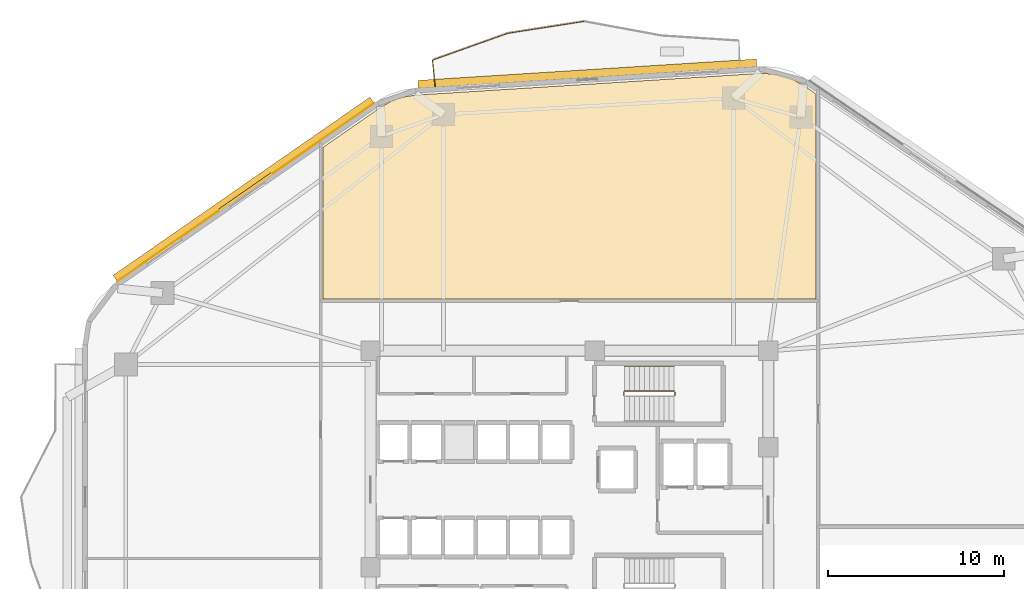
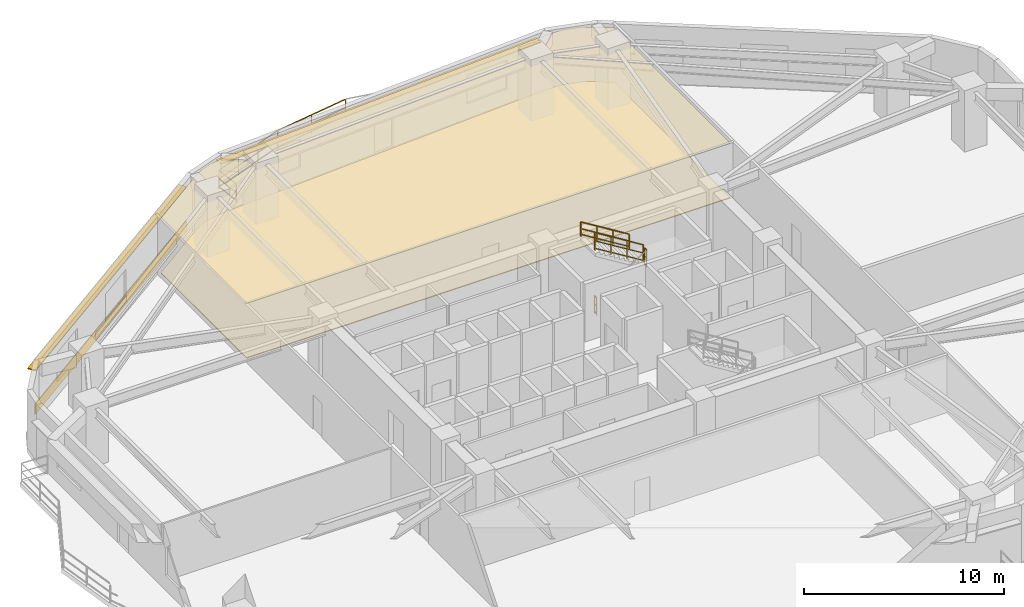
# One storey, part 9 of 11: 7 railings, 3 coverings, 3 shading devices.
"""IFC4 building model written with IfcOpenShell, lengths in metres."""

import ifcopenshell
import ifcopenshell.guid

model = None  # the IFC model being written
_history = None  # IfcOwnerHistory: only IFC2X3 demands one
_inside = {}  # id of a spatial element -> (the spatial element, [elements in it])
_under = {}  # id of a project, library or spatial element -> (it, [spatial elements below it])
_declared = {}  # id of a project -> (the project, [libraries it declares])
_typed = {}  # id of a type object -> (the type object, [elements of that type])
_made_of = {}  # id of a material, layer set ... -> (it, [elements and type objects made of it])


def new_model(schema):
    """Start an empty IFC model of exactly this schema.

    Asked for "IFC4X3", IfcOpenShell would pick the latest addendum, in which some entities
    have other attributes; the version numbers below select the first issue.
    IFC2X3 requires an IfcOwnerHistory on every rooted entity: one is made here for all.
    """
    global model, _history
    if schema == "IFC4X3":
        model = ifcopenshell.file(schema_version=(4, 3, 0, 0))
    else:
        model = ifcopenshell.file(schema=schema)
    _inside.clear()
    _under.clear()
    _declared.clear()
    _typed.clear()
    _made_of.clear()
    _history = None
    if model.schema == "IFC2X3":
        org = make("IfcOrganization", Name="unknown")
        user = make(
            "IfcPersonAndOrganization",
            ThePerson=make("IfcPerson", FamilyName="unknown"),
            TheOrganization=org,
        )
        app = make(
            "IfcApplication",
            ApplicationDeveloper=org,
            Version="unknown",
            ApplicationFullName="unknown",
            ApplicationIdentifier="unknown",
        )
        _history = make(
            "IfcOwnerHistory",
            OwningUser=user,
            OwningApplication=app,
            ChangeAction="ADDED",
            CreationDate=0,
        )
    return model


def make(cls, **values):
    """One entity of the class cls with the attributes given. An attribute that is None is left unset."""
    return model.create_entity(
        cls, **{name: value for name, value in values.items() if value is not None}
    )


def rooted(cls, **values):
    """An entity with a GlobalId (a new one), such as an element, a storey or a relation."""
    return make(cls, GlobalId=ifcopenshell.guid.new(), OwnerHistory=_history, **values)


def si_unit(unit_type, name, prefix=None):
    """IfcSIUnit, for example si_unit("LENGTHUNIT", "METRE", prefix="MILLI")."""
    return make("IfcSIUnit", UnitType=unit_type, Prefix=prefix, Name=name)


def assignment(units):
    """IfcUnitAssignment: the units of a project."""
    return None if units is None else make("IfcUnitAssignment", Units=units)


def point(xyz):
    """IfcCartesianPoint."""
    return None if xyz is None else make("IfcCartesianPoint", Coordinates=xyz)


def direction(xyz):
    """IfcDirection."""
    return None if xyz is None else make("IfcDirection", DirectionRatios=xyz)


def frame(location, z_axis=None, x_axis=None):
    """IfcAxis2Placement3D, a coordinate frame: its origin and axes. An axis left out is left unset."""
    return make(
        "IfcAxis2Placement3D",
        Location=point(location),
        Axis=direction(z_axis),
        RefDirection=direction(x_axis),
    )


def frame_2d(location, x_axis=None):
    """IfcAxis2Placement2D, a coordinate frame in the plane: its origin and x axis."""
    return make(
        "IfcAxis2Placement2D", Location=point(location), RefDirection=direction(x_axis)
    )


def origin():
    """The frame at (0, 0, 0) with its axes left unset."""
    return frame((0.0, 0.0, 0.0))


def origin_2d():
    """The frame at (0, 0) in the plane with its x axis left unset."""
    return frame_2d((0.0, 0.0))


def place(relative_to, where):
    """IfcLocalPlacement: puts the frame where relative to a parent placement (None: the world)."""
    return make(
        "IfcLocalPlacement", PlacementRelTo=relative_to, RelativePlacement=where
    )


def context(
    kind, dimensions, precision=None, world=None, true_north=None, identifier=None
):
    """IfcGeometricRepresentationContext, for example the 3D "Model" context."""
    return make(
        "IfcGeometricRepresentationContext",
        ContextIdentifier=identifier,
        ContextType=kind,
        CoordinateSpaceDimension=dimensions,
        Precision=precision,
        WorldCoordinateSystem=world,
        TrueNorth=true_north,
    )


def subcontext(parent, identifier, kind, view, scale=None):
    """IfcGeometricRepresentationSubContext, for example "Body" below "Model"."""
    return make(
        "IfcGeometricRepresentationSubContext",
        ContextIdentifier=identifier,
        ContextType=kind,
        ParentContext=parent,
        TargetScale=scale,
        TargetView=view,
    )


def project(units=None, contexts=None):
    """IfcProject with its units and contexts."""
    return rooted(
        "IfcProject",
        Name="project",
        RepresentationContexts=contexts,
        UnitsInContext=assignment(units),
    )


def spatial(cls, under=None, at=None, **own):
    """A site, building, storey or space (cls), placed at a placement, below another one or the project."""
    s = rooted(cls, ObjectPlacement=at, **own)
    if under is not None:
        _under.setdefault(under.id(), (under, []))[1].append(s)
    return s


def polyline(points):
    """IfcPolyline through the points."""
    return make("IfcPolyline", Points=[point(p) for p in points])


def profile(cls, at=None, kind="AREA", **sizes):
    """A parametric profile (cls). Its sizes go by their IFC names, for example OverallWidth=200.0."""
    return make(cls, ProfileType=kind, Position=at, **sizes)


def rectangle(**sizes):
    """IfcRectangleProfileDef."""
    return profile("IfcRectangleProfileDef", **sizes)


def outline(outer, holes=None, kind="AREA"):
    """IfcArbitraryClosedProfileDef: a profile drawn as a closed curve; with holes, ...WithVoids."""
    if holes is None:
        return make("IfcArbitraryClosedProfileDef", ProfileType=kind, OuterCurve=outer)
    return make(
        "IfcArbitraryProfileDefWithVoids",
        ProfileType=kind,
        OuterCurve=outer,
        InnerCurves=holes,
    )


def extrude(swept, where, along, depth):
    """IfcExtrudedAreaSolid: the profile swept, set in the frame where, extruded along a direction by depth."""
    return make(
        "IfcExtrudedAreaSolid",
        SweptArea=swept,
        Position=where,
        ExtrudedDirection=direction(along),
        Depth=depth,
    )


def shape(context_of_items, identifier, shape_type, items):
    """IfcShapeRepresentation: the items that make up one representation, for example the "Body"."""
    return make(
        "IfcShapeRepresentation",
        ContextOfItems=context_of_items,
        RepresentationIdentifier=identifier,
        RepresentationType=shape_type,
        Items=items,
    )


def material(Name=None, Category=None):
    """IfcMaterial."""
    return make("IfcMaterial", Name=Name, Category=Category)


def layer(
    of_material, thickness, ventilated=None, Name=None, Category=None, Priority=None
):
    """IfcMaterialLayer: one layer of a wall or slab, of a material (None: an air gap)."""
    return make(
        "IfcMaterialLayer",
        Material=of_material,
        LayerThickness=thickness,
        IsVentilated=ventilated,
        Name=Name,
        Category=Category,
        Priority=Priority,
    )


def layer_set(layers, Name=None):
    """IfcMaterialLayerSet."""
    return make("IfcMaterialLayerSet", MaterialLayers=layers, LayerSetName=Name)


def made_of(thing, what):
    """Note that an element or type object is made of a material, layer set ...; save() writes the relation."""
    if what is not None:
        _made_of.setdefault(what.id(), (what, []))[1].append(thing)
    return thing


def type_object(cls, material=None, **own):
    """A type object (cls), such as IfcWallType, which elements share."""
    return made_of(rooted(cls, **own), material)


def element(
    cls,
    number,
    at=None,
    inside=None,
    cuts=None,
    type_object=None,
    material=None,
    context=None,
    identifier="Body",
    shape_type=None,
    held_by="IfcProductDefinitionShape",
    body=None,
    shapes=None,
    **own,
):
    """One element of the class cls, such as IfcWall. Its Tag is "e" and its number.

    at: its placement. inside: the storey or other place that contains it. cuts: it is an
    opening in that element (IfcRelVoidsElement). A single representation is given by context,
    identifier, shape_type and body (its items); several are given by shapes. held_by: the class
    of the entity that holds the representations. save() writes the other relations.
    """
    e = rooted(cls, Tag="e%d" % number, ObjectPlacement=at, **own)
    if body is not None:
        shapes = [shape(context, identifier, shape_type, body)]
    if shapes is not None:
        e.Representation = make(held_by, Representations=shapes)
    if inside is not None:
        _inside.setdefault(inside.id(), (inside, []))[1].append(e)
    if cuts is not None:
        rooted(
            "IfcRelVoidsElement", RelatingBuildingElement=cuts, RelatedOpeningElement=e
        )
    if type_object is not None:
        _typed.setdefault(type_object.id(), (type_object, []))[1].append(e)
    return made_of(e, material)


def aggregate(whole, parts):
    """IfcRelAggregates: a whole, such as a stair, and the parts it consists of."""
    return rooted("IfcRelAggregates", RelatingObject=whole, RelatedObjects=parts)


def save(model, path):
    """Write the relations noted so far, then the file.

    IfcRelAggregates (storeys below a building ...), IfcRelContainedInSpatialStructure (elements
    in a storey), IfcRelDefinesByType, IfcRelAssociatesMaterial and IfcRelDeclares: one each for
    every whole, place, type object, material and project.
    """
    for whole, parts in _under.values():
        aggregate(whole, parts)
    for where, things in _inside.values():
        rooted(
            "IfcRelContainedInSpatialStructure",
            RelatedElements=things,
            RelatingStructure=where,
        )
    for kind, things in _typed.values():
        rooted("IfcRelDefinesByType", RelatedObjects=things, RelatingType=kind)
    for what, things in _made_of.values():
        rooted("IfcRelAssociatesMaterial", RelatedObjects=things, RelatingMaterial=what)
    for by, libraries in _declared.values():
        rooted("IfcRelDeclares", RelatingContext=by, RelatedDefinitions=libraries)
    model.write(path)


model = new_model("IFC4")

# Units and contexts
model_context = context("Model", 3, precision=1e-05, world=origin(), true_north=direction((0.0, 1.0)))
body_context = subcontext(model_context, "Body", "Model", "MODEL_VIEW")
ifc_project = project(units=[si_unit("LENGTHUNIT", "METRE"), si_unit("AREAUNIT", "SQUARE_METRE"), si_unit("VOLUMEUNIT", "CUBIC_METRE"), si_unit("PLANEANGLEUNIT", "RADIAN"), si_unit("MASSUNIT", "GRAM", prefix="KILO")], contexts=[model_context])

# Site, building, storey
site_placement = place(None, origin())
site = spatial("IfcSite", under=ifc_project, at=site_placement, CompositionType="ELEMENT")
building_placement = place(site_placement, origin())
building = spatial("IfcBuilding", under=site, at=building_placement, Name="Zulverin Broadcast Headquarters", CompositionType="ELEMENT")
storey_placement = place(building_placement, frame((0.0, 0.0, 28.800048828125)))
storey = spatial("IfcBuildingStorey", under=building, at=storey_placement, Name="L06", CompositionType="ELEMENT", Elevation=28.800048828125)

# Coverings
ifc_material_1 = material(Name="Perforated pale-metal acoustic baffle ceiling", Category="aluminium")
ifc_layer_1 = layer(ifc_material_1, 0.0400390625, Name="Perforated pale-metal acoustic baffle ceiling", Category="aluminium")
ifc_layer_set_1 = layer_set([ifc_layer_1], Name="Perforated pale-metal acoustic baffle ceiling")
covering_type_1 = type_object("IfcCoveringType", Name="COV-CEIL-ACOU", PredefinedType="CEILING", material=ifc_layer_set_1)
covering_1_placement = place(storey_placement, frame((0.0, 0.0, 3.344970703125)))
element("IfcCovering", 1, at=covering_1_placement, inside=storey, type_object=covering_type_1, Name="L06 Acoustic Baffle Ceiling 01", PredefinedType="CEILING", context=body_context, shape_type="SweptSolid", body=[
    extrude(outline(polyline([(48.68408203125, 48.76806640625), (47.823974609375, 48.80810546875), (28.27587890625, 47.575927734375), (27.575927734375, 47.468017578125), (26.927978515625, 47.243896484375), (26.31591796875, 46.89599609375), (23.02001953125, 44.60400390625), (23.02001953125, 36.02001953125), (50.97998046875, 36.02001953125), (50.97998046875, 47.64404296875), (50.248046875, 48.139892578125), (49.491943359375, 48.548095703125), (48.68408203125, 48.76806640625)])), origin(), (0.0, 0.0, 1.0), 0.0400390625),
])
ifc_material_2 = material(Name="Brushed pale-aluminium rainscreen cladding", Category="aluminium")
ifc_layer_2 = layer(ifc_material_2, 0.0400390625, Name="Brushed pale-aluminium rainscreen cladding", Category="aluminium")
ifc_layer_set_2 = layer_set([ifc_layer_2], Name="Brushed pale-aluminium rainscreen cladding")
covering_type_2 = type_object("IfcCoveringType", Name="COV-CLAD-PALE", PredefinedType="CLADDING", material=ifc_layer_set_2)
covering_2_placement = place(storey_placement, frame((18.648193359375, 42.072021484375, 0.054931640625), z_axis=(0.0, 0.0, 1.0), x_axis=(-0.821556397865, -0.57012725345, 0.0)))
element("IfcCovering", 2, at=covering_2_placement, inside=storey, type_object=covering_type_2, Name="L06 Brushed Pale-Aluminium Spandrel Cladding 6", PredefinedType="CLADDING", context=body_context, shape_type="SweptSolid", body=[
    extrude(rectangle(XDim=17.732421875, YDim=0.0400390625, at=origin_2d()), origin(), (0.0, 0.0, 1.0), 0.64990234375),
])
ifc_material_3 = material(Name="Anti-static broadcast raised access flooring", Category="stone")
ifc_layer_3 = layer(ifc_material_3, 0.050048828125, Name="Anti-static broadcast raised access flooring", Category="stone")
ifc_layer_set_3 = layer_set([ifc_layer_3], Name="Anti-static broadcast raised access flooring")
covering_type_3 = type_object("IfcCoveringType", Name="COV-FLR-RAISED", PredefinedType="FLOORING", material=ifc_layer_set_3)
covering_3_placement = place(storey_placement, origin())
element("IfcCovering", 3, at=covering_3_placement, inside=storey, type_object=covering_type_3, Name="L06 Broadcast Raised Access Flooring 01", PredefinedType="FLOORING", context=body_context, shape_type="SweptSolid", body=[
    extrude(outline(polyline([(48.68408203125, 48.76806640625), (47.823974609375, 48.80810546875), (28.27587890625, 47.575927734375), (27.575927734375, 47.468017578125), (26.927978515625, 47.243896484375), (26.31591796875, 46.89599609375), (23.02001953125, 44.60400390625), (23.02001953125, 36.02001953125), (50.97998046875, 36.02001953125), (50.97998046875, 47.64404296875), (50.248046875, 48.139892578125), (49.491943359375, 48.548095703125), (48.68408203125, 48.76806640625)])), origin(), (0.0, 0.0, 1.0), 0.050048828125),
])

# Railings
ifc_material_4 = material(Name="Brushed stainless steel & laminated glass balustrade", Category="steel")
railing_type_1 = type_object("IfcRailingType", Name="RL-GUARD-1150", PredefinedType="GUARDRAIL", material=ifc_material_4)
railing_1_placement = place(storey_placement, frame((37.8134765625, 51.7529296875, 0.0)))
element("IfcRailing", 4, at=railing_1_placement, inside=storey, type_object=railing_type_1, Name="L06 Vertical-Forest Balcony Guardrail BAL_N Segment 04", PredefinedType="GUARDRAIL", context=body_context, shape_type="SweptSolid", body=[
    extrude(rectangle(XDim=0.048095703125, YDim=0.048095703125, at=origin_2d()), frame((0.0, 0.0, 1.1259765625), z_axis=(-0.988057241682, -0.154087271245, 0.0), x_axis=(0.154087271245, -0.988057241682, 0.0)), (0.0, 0.0, 1.0), 4.34619140625),
    extrude(rectangle(XDim=0.0419921875, YDim=0.0419921875, at=origin_2d()), frame((0.0, 0.0, 0.597900390625), z_axis=(-0.988057241682, -0.154087271245, 0.0), x_axis=(0.154087271245, -0.988057241682, 0.0)), (0.0, 0.0, 1.0), 4.34619140625),
    extrude(rectangle(XDim=0.0419921875, YDim=0.0419921875, at=origin_2d()), frame((0.0, 0.0, 0.1201171875), z_axis=(-0.988057241682, -0.154087271245, 0.0), x_axis=(0.154087271245, -0.988057241682, 0.0)), (0.0, 0.0, 1.0), 4.34619140625),
    extrude(rectangle(XDim=0.0419921875, YDim=0.0419921875, at=origin_2d()), origin(), (0.0, 0.0, 1.0), 1.101806640625),
    extrude(rectangle(XDim=0.0419921875, YDim=0.0419921875, at=origin_2d()), frame((-2.14697265625, -0.3349609375, 0.0)), (0.0, 0.0, 1.0), 1.101806640625),
    extrude(rectangle(XDim=0.0419921875, YDim=0.0419921875, at=origin_2d()), frame((-4.294189453125, -0.669677734375, 0.0)), (0.0, 0.0, 1.0), 1.101806640625),
])
railing_2_placement = place(storey_placement, frame((33.490478515625, 51.075927734375, 0.0)))
element("IfcRailing", 5, at=railing_2_placement, inside=storey, type_object=railing_type_1, Name="L06 Vertical-Forest Balcony Guardrail BAL_N Segment 05", PredefinedType="GUARDRAIL", context=body_context, shape_type="SweptSolid", body=[
    extrude(rectangle(XDim=0.048095703125, YDim=0.048095703125, at=origin_2d()), frame((0.0, 0.0, 1.1259765625), z_axis=(-0.942022481817, -0.335549763451, 0.0), x_axis=(0.335549763451, -0.942022481817, 0.0)), (0.0, 0.0, 1.0), 4.5029296875),
    extrude(rectangle(XDim=0.0419921875, YDim=0.0419921875, at=origin_2d()), frame((0.0, 0.0, 0.597900390625), z_axis=(-0.942022481817, -0.335549763451, 0.0), x_axis=(0.335549763451, -0.942022481817, 0.0)), (0.0, 0.0, 1.0), 4.5029296875),
    extrude(rectangle(XDim=0.0419921875, YDim=0.0419921875, at=origin_2d()), frame((0.0, 0.0, 0.1201171875), z_axis=(-0.942022481817, -0.335549763451, 0.0), x_axis=(0.335549763451, -0.942022481817, 0.0)), (0.0, 0.0, 1.0), 4.5029296875),
    extrude(rectangle(XDim=0.0419921875, YDim=0.0419921875, at=origin_2d()), origin(), (0.0, 0.0, 1.0), 1.101806640625),
    extrude(rectangle(XDim=0.0419921875, YDim=0.0419921875, at=origin_2d()), frame((-1.4140625, -0.503662109375, 0.0)), (0.0, 0.0, 1.0), 1.101806640625),
    extrude(rectangle(XDim=0.0419921875, YDim=0.0419921875, at=origin_2d()), frame((-2.827880859375, -1.00732421875, 0.0)), (0.0, 0.0, 1.0), 1.101806640625),
    extrude(rectangle(XDim=0.0419921875, YDim=0.0419921875, at=origin_2d()), frame((-4.241943359375, -1.510986328125, 0.0)), (0.0, 0.0, 1.0), 1.101806640625),
])
railing_3_placement = place(storey_placement, frame((29.236083984375, 49.545166015625, 0.0)))
element("IfcRailing", 6, at=railing_3_placement, inside=storey, type_object=railing_type_1, Name="L06 Vertical-Forest Balcony Guardrail BAL_N Segment 06", PredefinedType="GUARDRAIL", context=body_context, shape_type="SweptSolid", body=[
    extrude(rectangle(XDim=0.048095703125, YDim=0.048095703125, at=origin_2d()), frame((0.0, 0.0, 1.1259765625), z_axis=(0.103393334431, -0.994640547331, 0.0), x_axis=(0.994640547331, 0.103393334431, 0.0)), (0.0, 0.0, 1.0), 1.46630859375),
    extrude(rectangle(XDim=0.0419921875, YDim=0.0419921875, at=origin_2d()), frame((0.0, 0.0, 0.597900390625), z_axis=(0.103393334431, -0.994640547331, 0.0), x_axis=(0.994640547331, 0.103393334431, 0.0)), (0.0, 0.0, 1.0), 1.46630859375),
    extrude(rectangle(XDim=0.0419921875, YDim=0.0419921875, at=origin_2d()), frame((0.0, 0.0, 0.1201171875), z_axis=(0.103393334431, -0.994640547331, 0.0), x_axis=(0.994640547331, 0.103393334431, 0.0)), (0.0, 0.0, 1.0), 1.46630859375),
    extrude(rectangle(XDim=0.0419921875, YDim=0.0419921875, at=origin_2d()), origin(), (0.0, 0.0, 1.0), 1.101806640625),
    extrude(rectangle(XDim=0.0419921875, YDim=0.0419921875, at=origin_2d()), frame((0.151611328125, -1.45849609375, 0.0)), (0.0, 0.0, 1.0), 1.101806640625),
])
ifc_material_5 = material(Name="Painted galvanized steel tubular guardrail S355JR", Category="steel")
railing_type_2 = type_object("IfcRailingType", Name="RL-ST-GUARD", PredefinedType="GUARDRAIL", material=ifc_material_5)
railing_4_placement = place(storey_placement, frame((42.97998046875, 30.550048828125, 1.89990234375)))
element("IfcRailing", 7, at=railing_4_placement, inside=storey, type_object=railing_type_2, Name="L06 ST-1 stair guard 2", PredefinedType="GUARDRAIL", context=body_context, shape_type="SweptSolid", body=[
    extrude(rectangle(XDim=0.048095703125, YDim=0.048095703125, at=origin_2d()), frame((0.0, 0.0, 1.076171875), z_axis=(0.0, 1.0, 0.0), x_axis=(-1.0, 0.0, 0.0)), (0.0, 0.0, 1.0), 0.199951171875),
    extrude(rectangle(XDim=0.0419921875, YDim=0.0419921875, at=origin_2d()), frame((0.0, 0.0, 0.572021484375), z_axis=(0.0, 1.0, 0.0), x_axis=(-1.0, 0.0, 0.0)), (0.0, 0.0, 1.0), 0.199951171875),
    extrude(rectangle(XDim=0.0419921875, YDim=0.0419921875, at=origin_2d()), frame((0.0, 0.0, 0.1201171875), z_axis=(0.0, 1.0, 0.0), x_axis=(-1.0, 0.0, 0.0)), (0.0, 0.0, 1.0), 0.199951171875),
    extrude(rectangle(XDim=0.0419921875, YDim=0.0419921875, at=origin_2d()), origin(), (0.0, 0.0, 1.0), 1.052001953125),
    extrude(rectangle(XDim=0.0419921875, YDim=0.0419921875, at=origin_2d()), frame((0.0, 0.199951171875, 0.0)), (0.0, 0.0, 1.0), 1.052001953125),
])
railing_5_placement = place(storey_placement, frame((42.929931640625, 30.800048828125, 2.07275390625)))
element("IfcRailing", 8, at=railing_5_placement, inside=storey, type_object=railing_type_2, Name="L06 ST-1 stair guard 3", PredefinedType="GUARDRAIL", context=body_context, shape_type="SweptSolid", body=[
    extrude(rectangle(XDim=0.048095703125, YDim=0.048095703125, at=origin_2d()), frame((0.0, 0.0, 1.076171875), z_axis=(-0.851089632645, 0.0, 0.525020415988), x_axis=(0.0, -1.0, 0.0)), (0.0, 0.0, 1.0), 3.2900390625),
    extrude(rectangle(XDim=0.0419921875, YDim=0.0419921875, at=origin_2d()), frame((0.0, 0.0, 0.572021484375), z_axis=(-0.851089632645, 0.0, 0.525020415988), x_axis=(0.0, -1.0, 0.0)), (0.0, 0.0, 1.0), 3.2900390625),
    extrude(rectangle(XDim=0.0419921875, YDim=0.0419921875, at=origin_2d()), frame((0.0, 0.0, 0.1201171875), z_axis=(-0.851089632645, 0.0, 0.525020415988), x_axis=(0.0, -1.0, 0.0)), (0.0, 0.0, 1.0), 3.2900390625),
    extrude(rectangle(XDim=0.0419921875, YDim=0.0419921875, at=origin_2d()), origin(), (0.0, 0.0, 1.0), 1.052001953125),
    extrude(rectangle(XDim=0.0419921875, YDim=0.0419921875, at=origin_2d()), frame((-0.933349609375, 0.0, 0.57568359375)), (0.0, 0.0, 1.0), 1.052001953125),
    extrude(rectangle(XDim=0.0419921875, YDim=0.0419921875, at=origin_2d()), frame((-1.86669921875, 0.0, 1.151611328125)), (0.0, 0.0, 1.0), 1.052001953125),
    extrude(rectangle(XDim=0.0419921875, YDim=0.0419921875, at=origin_2d()), frame((-2.800048828125, 0.0, 1.727294921875)), (0.0, 0.0, 1.0), 1.052001953125),
])
railing_6_placement = place(storey_placement, frame((40.080078125, 30.550048828125, 0.0)))
element("IfcRailing", 9, at=railing_6_placement, inside=storey, type_object=railing_type_2, Name="L06 ST-1 stair guard 4", PredefinedType="GUARDRAIL", context=body_context, shape_type="SweptSolid", body=[
    extrude(rectangle(XDim=0.048095703125, YDim=0.048095703125, at=origin_2d()), frame((0.0, 0.0, 1.076171875), z_axis=(0.0, 1.0, 0.0), x_axis=(-1.0, 0.0, 0.0)), (0.0, 0.0, 1.0), 0.199951171875),
    extrude(rectangle(XDim=0.0419921875, YDim=0.0419921875, at=origin_2d()), frame((0.0, 0.0, 0.572021484375), z_axis=(0.0, 1.0, 0.0), x_axis=(-1.0, 0.0, 0.0)), (0.0, 0.0, 1.0), 0.199951171875),
    extrude(rectangle(XDim=0.0419921875, YDim=0.0419921875, at=origin_2d()), frame((0.0, 0.0, 0.1201171875), z_axis=(0.0, 1.0, 0.0), x_axis=(-1.0, 0.0, 0.0)), (0.0, 0.0, 1.0), 0.199951171875),
    extrude(rectangle(XDim=0.0419921875, YDim=0.0419921875, at=origin_2d()), origin(), (0.0, 0.0, 1.0), 1.052001953125),
    extrude(rectangle(XDim=0.0419921875, YDim=0.0419921875, at=origin_2d()), frame((0.0, 0.199951171875, 0.0)), (0.0, 0.0, 1.0), 1.052001953125),
])
ifc_material_6 = material(Name="Brushed stainless steel 48 mm handrail", Category="steel")
railing_type_3 = type_object("IfcRailingType", Name="RL-ST-HAND", PredefinedType="HANDRAIL", material=ifc_material_6)
railing_7_placement = place(storey_placement, frame((42.929931640625, 32.199951171875, 2.07275390625)))
element("IfcRailing", 10, at=railing_7_placement, inside=storey, type_object=railing_type_3, Name="L06 ST-1 stair handrail 2", PredefinedType="HANDRAIL", context=body_context, shape_type="SweptSolid", body=[
    extrude(rectangle(XDim=0.048095703125, YDim=0.048095703125, at=origin_2d()), frame((0.0, 0.0, 0.8759765625), z_axis=(-0.851089632645, 0.0, 0.525020415988), x_axis=(0.0, -1.0, 0.0)), (0.0, 0.0, 1.0), 3.2900390625),
    extrude(rectangle(XDim=0.0419921875, YDim=0.0419921875, at=origin_2d()), frame((0.0, 0.0, 0.468017578125), z_axis=(-0.851089632645, 0.0, 0.525020415988), x_axis=(0.0, -1.0, 0.0)), (0.0, 0.0, 1.0), 3.2900390625),
    extrude(rectangle(XDim=0.0419921875, YDim=0.0419921875, at=origin_2d()), frame((0.0, 0.0, 0.1201171875), z_axis=(-0.851089632645, 0.0, 0.525020415988), x_axis=(0.0, -1.0, 0.0)), (0.0, 0.0, 1.0), 3.2900390625),
    extrude(rectangle(XDim=0.0419921875, YDim=0.0419921875, at=origin_2d()), origin(), (0.0, 0.0, 1.0), 0.851806640625),
    extrude(rectangle(XDim=0.0419921875, YDim=0.0419921875, at=origin_2d()), frame((-0.933349609375, 0.0, 0.57568359375)), (0.0, 0.0, 1.0), 0.851806640625),
    extrude(rectangle(XDim=0.0419921875, YDim=0.0419921875, at=origin_2d()), frame((-1.86669921875, 0.0, 1.151611328125)), (0.0, 0.0, 1.0), 0.851806640625),
    extrude(rectangle(XDim=0.0419921875, YDim=0.0419921875, at=origin_2d()), frame((-2.800048828125, 0.0, 1.727294921875)), (0.0, 0.0, 1.0), 0.851806640625),
])

# Shading devices
ifc_material_7 = material(Name="Anodized pale-metal aluminium acoustic louvre", Category="aluminium")
shading_device_type_1 = type_object("IfcShadingDeviceType", Name="SHD-LOUVRE-350", PredefinedType="USERDEFINED", material=ifc_material_7)
shading_device_1_placement = place(storey_placement, frame((18.631103515625, 42.0966796875, 0.244873046875), z_axis=(0.0, 0.0, 1.0), x_axis=(-0.821556397865, -0.57012725345, 0.0)))
element("IfcShadingDevice", 11, at=shading_device_1_placement, inside=storey, type_object=shading_device_type_1, Name="L06 Spandrel Intake Louvre 6", ObjectType="LOUVRE", PredefinedType="USERDEFINED", context=body_context, shape_type="SweptSolid", body=[
    extrude(rectangle(XDim=3.60009765625, YDim=0.1201171875, at=origin_2d()), origin(), (0.0, 0.0, 1.0), 0.35009765625),
])
ifc_material_8 = material(Name="Anodized pale-metal aluminium sunshade", Category="aluminium")
ifc_layer_4 = layer(ifc_material_8, 0.06005859375, Name="Anodized pale-metal aluminium sunshade", Category="aluminium")
ifc_layer_set_4 = layer_set([ifc_layer_4], Name="Anodized pale-metal aluminium sunshade")
shading_device_type_2 = type_object("IfcShadingDeviceType", Name="SS-01_PALE_METAL_ALUMINIUM_SUNSHADE", PredefinedType="USERDEFINED", material=ifc_layer_set_4)
shading_device_2_placement = place(storey_placement, frame((38.01513671875, 48.791015625, 2.7099609375), z_axis=(0.0, 0.0, 1.0), x_axis=(-0.998017621976, -0.062935095345, 0.0)))
element("IfcShadingDevice", 12, at=shading_device_2_placement, inside=storey, type_object=shading_device_type_2, Name="L06 Horizontal Pale-Metal Sunshade Band 5", ObjectType="SUNSHADE", PredefinedType="USERDEFINED", context=body_context, shape_type="SweptSolid", body=[
    extrude(rectangle(XDim=19.2294921875, YDim=0.449951171875, at=origin_2d()), origin(), (0.0, 0.0, 1.0), 0.06005859375),
])
shading_device_3_placement = place(storey_placement, frame((18.539794921875, 42.22802734375, 2.7099609375), z_axis=(0.0, 0.0, 1.0), x_axis=(-0.821556397865, -0.57012725345, 0.0)))
element("IfcShadingDevice", 13, at=shading_device_3_placement, inside=storey, type_object=shading_device_type_2, Name="L06 Horizontal Pale-Metal Sunshade Band 6", ObjectType="SUNSHADE", PredefinedType="USERDEFINED", context=body_context, shape_type="SweptSolid", body=[
    extrude(rectangle(XDim=17.732421875, YDim=0.449951171875, at=origin_2d()), origin(), (0.0, 0.0, 1.0), 0.06005859375),
])

save(model, "model.ifc")
